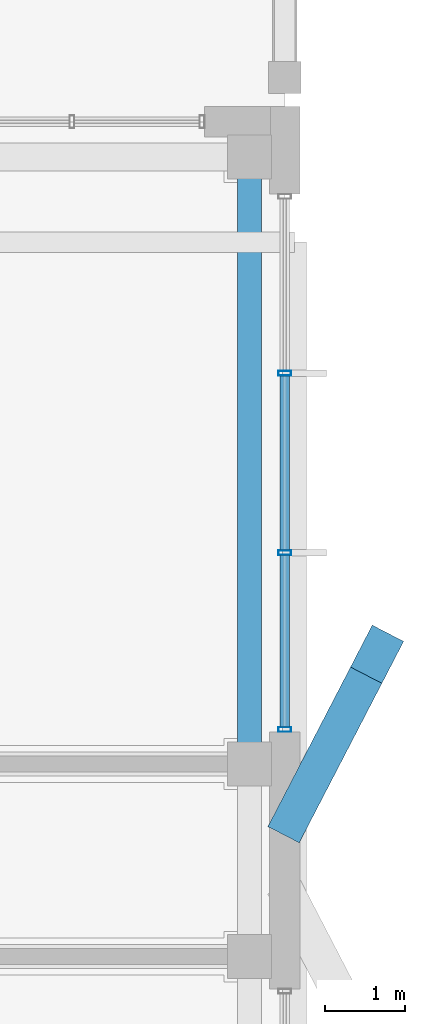
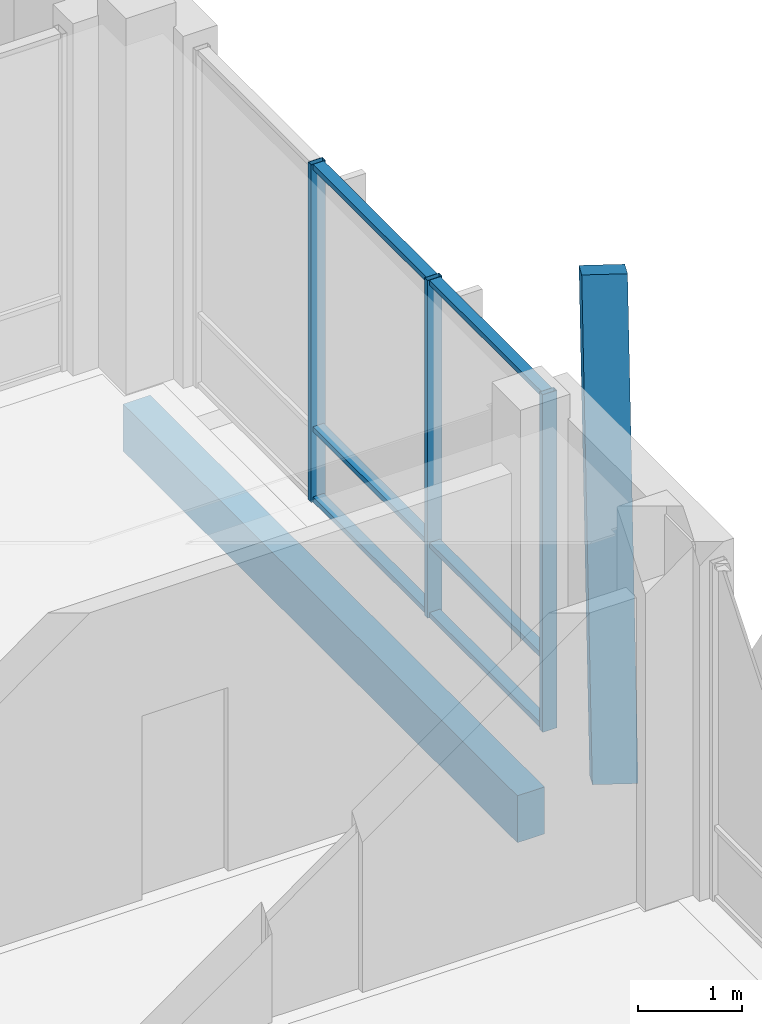
# One storey, part 147 of 233: 10 members, 1 beam, 1 element without a shape of its own.
"""IFC4 building model written with IfcOpenShell, lengths in metres."""

from ifc_helpers import new_model, si_unit, direction, frame, origin, origin_2d, place, context, subcontext, project, spatial, rectangle, hollow_rectangle, extrude, material, material_profile, profile_set, type_object, element, aggregate, save


model = new_model("IFC4")

# Units and contexts
model_context = context("Model", 3, precision=1e-05, world=origin(), true_north=direction((0.0, 1.0)))
body_context = subcontext(model_context, "Body", "Model", "MODEL_VIEW")
ifc_project = project(units=[si_unit("LENGTHUNIT", "METRE"), si_unit("AREAUNIT", "SQUARE_METRE"), si_unit("VOLUMEUNIT", "CUBIC_METRE"), si_unit("PLANEANGLEUNIT", "RADIAN"), si_unit("MASSUNIT", "GRAM", prefix="KILO")], contexts=[model_context])

# Site, building, storey
site_placement = place(None, origin())
site = spatial("IfcSite", under=ifc_project, at=site_placement, CompositionType="ELEMENT")
building_placement = place(site_placement, origin())
building = spatial("IfcBuilding", under=site, at=building_placement, Name="Zavelmont Quarter", CompositionType="ELEMENT")
storey_placement = place(building_placement, origin())
storey = spatial("IfcBuildingStorey", under=building, at=storey_placement, Name="L00", CompositionType="ELEMENT", Elevation=0.0)

# Beam
ifc_material_1 = material(Name="Concrete C35/45", Category="concrete")
ifc_material_profile_1 = material_profile(ifc_material_1, rectangle(XDim=0.300048828125, YDim=0.550048828125, at=origin_2d()), Name="RC300X550")
ifc_profile_set_1 = profile_set([ifc_material_profile_1], Name="Concrete C35/45")
beam_type = type_object("IfcBeamType", Name="BM02", PredefinedType="SPANDREL", material=ifc_profile_set_1)
beam_placement = place(storey_placement, frame((167.56005859375, 10.39990234375, -0.594970703125), z_axis=(0.0, 1.0, 0.0), x_axis=(-1.0, 0.0, 0.0)))
element("IfcBeam", 1, at=beam_placement, inside=storey, type_object=beam_type, Name="L00 beam BM02 25/C to 25/D", PredefinedType="SPANDREL", context=body_context, shape_type="SweptSolid", body=[
    extrude(rectangle(XDim=0.300048828125, YDim=0.550048828125, at=origin_2d()), origin(), (0.0, 0.0, 1.0), 7.56005859375),
])

# Curtain wall, members
ifc_material_2 = material(Name="Thermally broken aluminium and double low-E safety glazing", Category="aluminium")
curtain_wall_type = type_object("IfcCurtainWallType", Name="CW-670X395", PredefinedType="NOTDEFINED", material=ifc_material_2)
curtain_wall_placement = place(storey_placement, origin())
curtain_wall = element("IfcCurtainWall", 2, at=curtain_wall_placement, inside=storey, type_object=curtain_wall_type, Name="L00 unitised curtain wall CW-670X395", PredefinedType="NOTDEFINED")
ifc_material_3 = material(Name="Powder-coated aluminium EN AW-6063-T6", Category="aluminium")
ifc_material_profile_2 = material_profile(ifc_material_3, hollow_rectangle(XDim=0.06005859375, YDim=0.159912109375, WallThickness=0.00390625, at=origin_2d()), Name="CWM60X160")
ifc_profile_set_2 = profile_set([ifc_material_profile_2], Name="Powder-coated aluminium EN AW-6063-T6")
member_type_1 = type_object("IfcMemberType", Name="CWM01", PredefinedType="MULLION", material=ifc_profile_set_2)
member_1_placement = place(storey_placement, frame((168.0, 10.830078125, 0.0), z_axis=(0.0, 0.0, 1.0), x_axis=(0.0, 1.0, 0.0)))
member_1 = element("IfcMember", 3, at=member_1_placement, type_object=member_type_1, Name="CW-670X395 mullion 1", PredefinedType="MULLION", context=body_context, shape_type="SweptSolid", body=[
    extrude(hollow_rectangle(XDim=0.06005859375, YDim=0.159912109375, WallThickness=0.00390625, at=origin_2d()), origin(), (0.0, 0.0, 1.0), 3.949951171875),
])
member_2_placement = place(storey_placement, frame((168.0, 13.033447265625, 0.0), z_axis=(0.0, 0.0, 1.0), x_axis=(0.0, 1.0, 0.0)))
member_2 = element("IfcMember", 4, at=member_2_placement, type_object=member_type_1, Name="CW-670X395 mullion 2", PredefinedType="MULLION", context=body_context, shape_type="SweptSolid", body=[
    extrude(hollow_rectangle(XDim=0.06005859375, YDim=0.159912109375, WallThickness=0.00390625, at=origin_2d()), origin(), (0.0, 0.0, 1.0), 3.949951171875),
])
member_3_placement = place(storey_placement, frame((168.0, 15.2666015625, 0.0), z_axis=(0.0, 0.0, 1.0), x_axis=(0.0, 1.0, 0.0)))
member_3 = element("IfcMember", 5, at=member_3_placement, type_object=member_type_1, Name="CW-670X395 mullion 3", PredefinedType="MULLION", context=body_context, shape_type="SweptSolid", body=[
    extrude(hollow_rectangle(XDim=0.06005859375, YDim=0.159912109375, WallThickness=0.00390625, at=origin_2d()), origin(), (0.0, 0.0, 1.0), 3.949951171875),
])
ifc_material_profile_3 = material_profile(ifc_material_3, hollow_rectangle(XDim=0.1201171875, YDim=0.06005859375, WallThickness=0.00390625, at=origin_2d()), Name="CWT60X120")
ifc_profile_set_3 = profile_set([ifc_material_profile_3], Name="Powder-coated aluminium EN AW-6063-T6")
member_type_2 = type_object("IfcMemberType", Name="CWT01", PredefinedType="NOTDEFINED", material=ifc_profile_set_3)
member_4_placement = place(storey_placement, frame((168.0, 10.860107421875, 0.030029296875), z_axis=(0.0, 1.0, 0.0), x_axis=(-1.0, 0.0, 0.0)))
member_4 = element("IfcMember", 6, at=member_4_placement, type_object=member_type_2, Name="CW-670X395 transom 1.1", ObjectType="TRANSOM", PredefinedType="USERDEFINED", context=body_context, shape_type="SweptSolid", body=[
    extrude(hollow_rectangle(XDim=0.1201171875, YDim=0.06005859375, WallThickness=0.00390625, at=origin_2d()), origin(), (0.0, 0.0, 1.0), 2.143310546875),
])
member_5_placement = place(storey_placement, frame((168.0, 10.860107421875, 0.85009765625), z_axis=(0.0, 1.0, 0.0), x_axis=(-1.0, 0.0, 0.0)))
member_5 = element("IfcMember", 7, at=member_5_placement, type_object=member_type_2, Name="CW-670X395 transom 1.2", ObjectType="TRANSOM", PredefinedType="USERDEFINED", context=body_context, shape_type="SweptSolid", body=[
    extrude(hollow_rectangle(XDim=0.1201171875, YDim=0.06005859375, WallThickness=0.00390625, at=origin_2d()), origin(), (0.0, 0.0, 1.0), 2.143310546875),
])
member_6_placement = place(storey_placement, frame((168.0, 10.860107421875, 3.919921875), z_axis=(0.0, 1.0, 0.0), x_axis=(-1.0, 0.0, 0.0)))
member_6 = element("IfcMember", 8, at=member_6_placement, type_object=member_type_2, Name="CW-670X395 transom 1.3", ObjectType="TRANSOM", PredefinedType="USERDEFINED", context=body_context, shape_type="SweptSolid", body=[
    extrude(hollow_rectangle(XDim=0.1201171875, YDim=0.06005859375, WallThickness=0.00390625, at=origin_2d()), origin(), (0.0, 0.0, 1.0), 2.143310546875),
])
member_7_placement = place(storey_placement, frame((168.0, 13.063232421875, 0.030029296875), z_axis=(0.0, 1.0, 0.0), x_axis=(-1.0, 0.0, 0.0)))
member_7 = element("IfcMember", 9, at=member_7_placement, type_object=member_type_2, Name="CW-670X395 transom 2.1", ObjectType="TRANSOM", PredefinedType="USERDEFINED", context=body_context, shape_type="SweptSolid", body=[
    extrude(hollow_rectangle(XDim=0.1201171875, YDim=0.06005859375, WallThickness=0.00390625, at=origin_2d()), origin(), (0.0, 0.0, 1.0), 2.17333984375),
])
member_8_placement = place(storey_placement, frame((168.0, 13.063232421875, 0.85009765625), z_axis=(0.0, 1.0, 0.0), x_axis=(-1.0, 0.0, 0.0)))
member_8 = element("IfcMember", 10, at=member_8_placement, type_object=member_type_2, Name="CW-670X395 transom 2.2", ObjectType="TRANSOM", PredefinedType="USERDEFINED", context=body_context, shape_type="SweptSolid", body=[
    extrude(hollow_rectangle(XDim=0.1201171875, YDim=0.06005859375, WallThickness=0.00390625, at=origin_2d()), origin(), (0.0, 0.0, 1.0), 2.17333984375),
])
member_9_placement = place(storey_placement, frame((168.0, 13.063232421875, 3.919921875), z_axis=(0.0, 1.0, 0.0), x_axis=(-1.0, 0.0, 0.0)))
member_9 = element("IfcMember", 11, at=member_9_placement, type_object=member_type_2, Name="CW-670X395 transom 2.3", ObjectType="TRANSOM", PredefinedType="USERDEFINED", context=body_context, shape_type="SweptSolid", body=[
    extrude(hollow_rectangle(XDim=0.1201171875, YDim=0.06005859375, WallThickness=0.00390625, at=origin_2d()), origin(), (0.0, 0.0, 1.0), 2.17333984375),
])
aggregate(curtain_wall, [member_1, member_2, member_3, member_4, member_5, member_6, member_7, member_8, member_9])

# Member
ifc_material_4 = material(Name="White architectural precast concrete C40/50", Category="concrete")
ifc_material_profile_4 = material_profile(ifc_material_4, rectangle(XDim=0.43994140625, YDim=0.659912109375, at=origin_2d()), Name="PCR320X480")
ifc_profile_set_4 = profile_set([ifc_material_profile_4], Name="White architectural precast concrete C40/50")
member_type_3 = type_object("IfcMemberType", Name="VR01M", PredefinedType="CHORD", material=ifc_profile_set_4)
member_10_placement = place(storey_placement, frame((168.1201171875, 9.780029296875, 0.0), z_axis=(0.20860656376, 0.402574070414, 0.891300970148), x_axis=(-0.887876665033, 0.460081544608, 0.0)))
element("IfcMember", 12, at=member_10_placement, inside=storey, type_object=member_type_3, Name="L00 member VR01M 25/C to 25/C", PredefinedType="CHORD", context=body_context, shape_type="SweptSolid", body=[
    extrude(rectangle(XDim=0.43994140625, YDim=0.659912109375, at=origin_2d()), origin(), (0.0, 0.0, 1.0), 4.9365234375),
])

save(model, "model.ifc")
